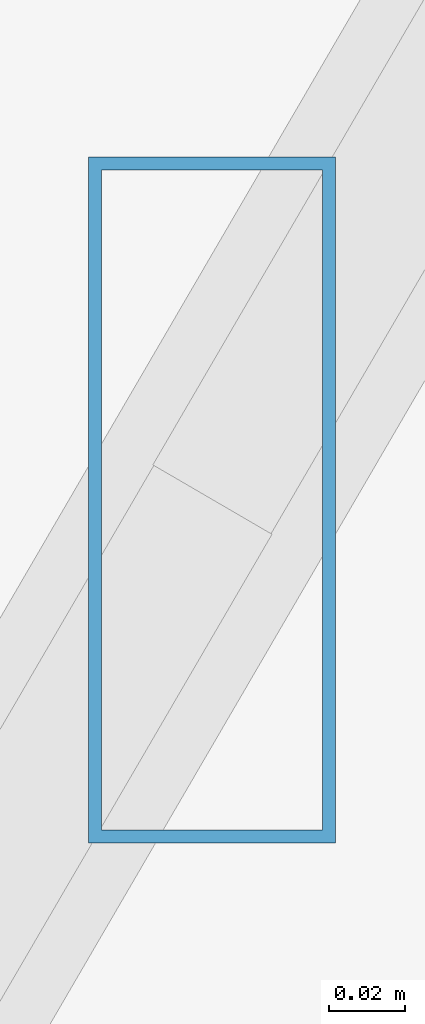
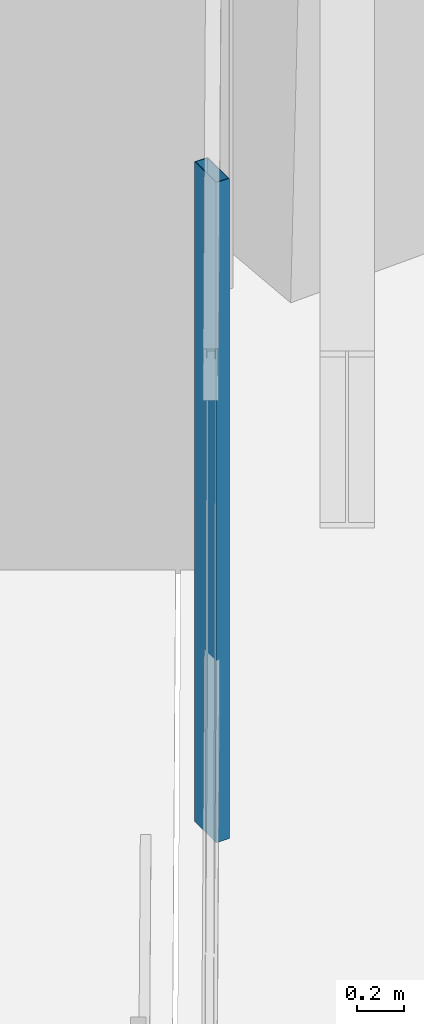
# One storey, part 21 of 35: 1 member, 1 element without a shape of its own.
"""IFC4 building model written with IfcOpenShell, lengths in metres."""

import ifcopenshell
import ifcopenshell.guid

model = None  # the IFC model being written
_history = None  # IfcOwnerHistory: only IFC2X3 demands one
_inside = {}  # id of a spatial element -> (the spatial element, [elements in it])
_under = {}  # id of a project, library or spatial element -> (it, [spatial elements below it])
_declared = {}  # id of a project -> (the project, [libraries it declares])
_typed = {}  # id of a type object -> (the type object, [elements of that type])
_made_of = {}  # id of a material, layer set ... -> (it, [elements and type objects made of it])


def new_model(schema):
    """Start an empty IFC model of exactly this schema.

    Asked for "IFC4X3", IfcOpenShell would pick the latest addendum, in which some entities
    have other attributes; the version numbers below select the first issue.
    IFC2X3 requires an IfcOwnerHistory on every rooted entity: one is made here for all.
    """
    global model, _history
    if schema == "IFC4X3":
        model = ifcopenshell.file(schema_version=(4, 3, 0, 0))
    else:
        model = ifcopenshell.file(schema=schema)
    _inside.clear()
    _under.clear()
    _declared.clear()
    _typed.clear()
    _made_of.clear()
    _history = None
    if model.schema == "IFC2X3":
        org = make("IfcOrganization", Name="unknown")
        user = make(
            "IfcPersonAndOrganization",
            ThePerson=make("IfcPerson", FamilyName="unknown"),
            TheOrganization=org,
        )
        app = make(
            "IfcApplication",
            ApplicationDeveloper=org,
            Version="unknown",
            ApplicationFullName="unknown",
            ApplicationIdentifier="unknown",
        )
        _history = make(
            "IfcOwnerHistory",
            OwningUser=user,
            OwningApplication=app,
            ChangeAction="ADDED",
            CreationDate=0,
        )
    return model


def make(cls, **values):
    """One entity of the class cls with the attributes given. An attribute that is None is left unset."""
    return model.create_entity(
        cls, **{name: value for name, value in values.items() if value is not None}
    )


def rooted(cls, **values):
    """An entity with a GlobalId (a new one), such as an element, a storey or a relation."""
    return make(cls, GlobalId=ifcopenshell.guid.new(), OwnerHistory=_history, **values)


def si_unit(unit_type, name, prefix=None):
    """IfcSIUnit, for example si_unit("LENGTHUNIT", "METRE", prefix="MILLI")."""
    return make("IfcSIUnit", UnitType=unit_type, Prefix=prefix, Name=name)


def assignment(units):
    """IfcUnitAssignment: the units of a project."""
    return None if units is None else make("IfcUnitAssignment", Units=units)


def point(xyz):
    """IfcCartesianPoint."""
    return None if xyz is None else make("IfcCartesianPoint", Coordinates=xyz)


def direction(xyz):
    """IfcDirection."""
    return None if xyz is None else make("IfcDirection", DirectionRatios=xyz)


def frame(location, z_axis=None, x_axis=None):
    """IfcAxis2Placement3D, a coordinate frame: its origin and axes. An axis left out is left unset."""
    return make(
        "IfcAxis2Placement3D",
        Location=point(location),
        Axis=direction(z_axis),
        RefDirection=direction(x_axis),
    )


def frame_2d(location, x_axis=None):
    """IfcAxis2Placement2D, a coordinate frame in the plane: its origin and x axis."""
    return make(
        "IfcAxis2Placement2D", Location=point(location), RefDirection=direction(x_axis)
    )


def origin():
    """The frame at (0, 0, 0) with its axes left unset."""
    return frame((0.0, 0.0, 0.0))


def origin_2d():
    """The frame at (0, 0) in the plane with its x axis left unset."""
    return frame_2d((0.0, 0.0))


def place(relative_to, where):
    """IfcLocalPlacement: puts the frame where relative to a parent placement (None: the world)."""
    return make(
        "IfcLocalPlacement", PlacementRelTo=relative_to, RelativePlacement=where
    )


def context(
    kind, dimensions, precision=None, world=None, true_north=None, identifier=None
):
    """IfcGeometricRepresentationContext, for example the 3D "Model" context."""
    return make(
        "IfcGeometricRepresentationContext",
        ContextIdentifier=identifier,
        ContextType=kind,
        CoordinateSpaceDimension=dimensions,
        Precision=precision,
        WorldCoordinateSystem=world,
        TrueNorth=true_north,
    )


def subcontext(parent, identifier, kind, view, scale=None):
    """IfcGeometricRepresentationSubContext, for example "Body" below "Model"."""
    return make(
        "IfcGeometricRepresentationSubContext",
        ContextIdentifier=identifier,
        ContextType=kind,
        ParentContext=parent,
        TargetScale=scale,
        TargetView=view,
    )


def project(units=None, contexts=None):
    """IfcProject with its units and contexts."""
    return rooted(
        "IfcProject",
        Name="project",
        RepresentationContexts=contexts,
        UnitsInContext=assignment(units),
    )


def spatial(cls, under=None, at=None, **own):
    """A site, building, storey or space (cls), placed at a placement, below another one or the project."""
    s = rooted(cls, ObjectPlacement=at, **own)
    if under is not None:
        _under.setdefault(under.id(), (under, []))[1].append(s)
    return s


def profile(cls, at=None, kind="AREA", **sizes):
    """A parametric profile (cls). Its sizes go by their IFC names, for example OverallWidth=200.0."""
    return make(cls, ProfileType=kind, Position=at, **sizes)


def hollow_rectangle(**sizes):
    """IfcRectangleHollowProfileDef."""
    return profile("IfcRectangleHollowProfileDef", **sizes)


def extrude(swept, where, along, depth):
    """IfcExtrudedAreaSolid: the profile swept, set in the frame where, extruded along a direction by depth."""
    return make(
        "IfcExtrudedAreaSolid",
        SweptArea=swept,
        Position=where,
        ExtrudedDirection=direction(along),
        Depth=depth,
    )


def shape(context_of_items, identifier, shape_type, items):
    """IfcShapeRepresentation: the items that make up one representation, for example the "Body"."""
    return make(
        "IfcShapeRepresentation",
        ContextOfItems=context_of_items,
        RepresentationIdentifier=identifier,
        RepresentationType=shape_type,
        Items=items,
    )


def source(mapping_origin, context_of_items, identifier, shape_type, items):
    """IfcRepresentationMap: a shape defined once, which mapped items show again and again."""
    return make(
        "IfcRepresentationMap",
        MappingOrigin=mapping_origin,
        MappedRepresentation=shape(context_of_items, identifier, shape_type, items),
    )


def transform(
    local_origin,
    x_axis=None,
    y_axis=None,
    z_axis=None,
    scale=None,
    scale2=None,
    scale3=None,
    uniform=True,
):
    """IfcCartesianTransformationOperator3D, or its non-uniform kind. x_axis, y_axis, z_axis: its Axis1, 2, 3."""
    if uniform:
        return make(
            "IfcCartesianTransformationOperator3D",
            Axis1=direction(x_axis),
            Axis2=direction(y_axis),
            LocalOrigin=point(local_origin),
            Scale=scale,
            Axis3=direction(z_axis),
        )
    return make(
        "IfcCartesianTransformationOperator3DnonUniform",
        Axis1=direction(x_axis),
        Axis2=direction(y_axis),
        LocalOrigin=point(local_origin),
        Scale=scale,
        Axis3=direction(z_axis),
        Scale2=scale2,
        Scale3=scale3,
    )


def mapped(mapping_source, mapping_target):
    """IfcMappedItem: shows the shape of a source again, moved by a transform."""
    return make(
        "IfcMappedItem", MappingSource=mapping_source, MappingTarget=mapping_target
    )


def material(Name=None, Category=None):
    """IfcMaterial."""
    return make("IfcMaterial", Name=Name, Category=Category)


def material_profile(
    of_material, cross_section, Name=None, Category=None, Priority=None
):
    """IfcMaterialProfile: a cross section and its material."""
    return make(
        "IfcMaterialProfile",
        Name=Name,
        Material=of_material,
        Profile=cross_section,
        Priority=Priority,
        Category=Category,
    )


def profile_set(profiles, Name=None, composite=None):
    """IfcMaterialProfileSet."""
    return make(
        "IfcMaterialProfileSet",
        Name=Name,
        MaterialProfiles=profiles,
        CompositeProfile=composite,
    )


def made_of(thing, what):
    """Note that an element or type object is made of a material, layer set ...; save() writes the relation."""
    if what is not None:
        _made_of.setdefault(what.id(), (what, []))[1].append(thing)
    return thing


def type_object(cls, material=None, **own):
    """A type object (cls), such as IfcWallType, which elements share."""
    return made_of(rooted(cls, **own), material)


def type_shapes(of_type, sources):
    """Give a type object the sources (RepresentationMaps) that its elements show as mapped items."""
    of_type.RepresentationMaps = sources


def element(
    cls,
    number,
    at=None,
    inside=None,
    cuts=None,
    type_object=None,
    material=None,
    context=None,
    identifier="Body",
    shape_type=None,
    held_by="IfcProductDefinitionShape",
    body=None,
    shapes=None,
    **own,
):
    """One element of the class cls, such as IfcWall. Its Tag is "e" and its number.

    at: its placement. inside: the storey or other place that contains it. cuts: it is an
    opening in that element (IfcRelVoidsElement). A single representation is given by context,
    identifier, shape_type and body (its items); several are given by shapes. held_by: the class
    of the entity that holds the representations. save() writes the other relations.
    """
    e = rooted(cls, Tag="e%d" % number, ObjectPlacement=at, **own)
    if body is not None:
        shapes = [shape(context, identifier, shape_type, body)]
    if shapes is not None:
        e.Representation = make(held_by, Representations=shapes)
    if inside is not None:
        _inside.setdefault(inside.id(), (inside, []))[1].append(e)
    if cuts is not None:
        rooted(
            "IfcRelVoidsElement", RelatingBuildingElement=cuts, RelatedOpeningElement=e
        )
    if type_object is not None:
        _typed.setdefault(type_object.id(), (type_object, []))[1].append(e)
    return made_of(e, material)


def aggregate(whole, parts):
    """IfcRelAggregates: a whole, such as a stair, and the parts it consists of."""
    return rooted("IfcRelAggregates", RelatingObject=whole, RelatedObjects=parts)


def save(model, path):
    """Write the relations noted so far, then the file.

    IfcRelAggregates (storeys below a building ...), IfcRelContainedInSpatialStructure (elements
    in a storey), IfcRelDefinesByType, IfcRelAssociatesMaterial and IfcRelDeclares: one each for
    every whole, place, type object, material and project.
    """
    for whole, parts in _under.values():
        aggregate(whole, parts)
    for where, things in _inside.values():
        rooted(
            "IfcRelContainedInSpatialStructure",
            RelatedElements=things,
            RelatingStructure=where,
        )
    for kind, things in _typed.values():
        rooted("IfcRelDefinesByType", RelatedObjects=things, RelatingType=kind)
    for what, things in _made_of.values():
        rooted("IfcRelAssociatesMaterial", RelatedObjects=things, RelatingMaterial=what)
    for by, libraries in _declared.values():
        rooted("IfcRelDeclares", RelatingContext=by, RelatedDefinitions=libraries)
    model.write(path)


model = new_model("IFC4")

# Units and contexts
model_context = context("Model", 3, precision=1e-05, world=origin(), true_north=direction((0.0, 1.0)))
body_context = subcontext(model_context, "Body", "Model", "MODEL_VIEW")
ifc_project = project(units=[si_unit("LENGTHUNIT", "METRE"), si_unit("AREAUNIT", "SQUARE_METRE"), si_unit("VOLUMEUNIT", "CUBIC_METRE"), si_unit("PLANEANGLEUNIT", "RADIAN"), si_unit("MASSUNIT", "GRAM", prefix="KILO")], contexts=[model_context])

# Site, building, storey
site_placement = place(None, origin())
site = spatial("IfcSite", under=ifc_project, at=site_placement, CompositionType="ELEMENT")
building_placement = place(site_placement, origin())
building = spatial("IfcBuilding", under=site, at=building_placement, Name="Caelisora Broadcast Tower", CompositionType="ELEMENT")
storey_placement = place(building_placement, frame((0.0, 0.0, 27.60009765625)))
storey = spatial("IfcBuildingStorey", under=building, at=storey_placement, Name="L06", CompositionType="ELEMENT", Elevation=27.60009765625)

# Curtain wall, member
ifc_material_1 = material(Name="Unitised Aluminium and Low-E Glass Curtain Wall", Category="glass")
curtain_wall_type = type_object("IfcCurtainWallType", Name="CW-Z1", PredefinedType="NOTDEFINED", material=ifc_material_1)
curtain_wall_placement = place(storey_placement, origin())
curtain_wall = element("IfcCurtainWall", 1, at=curtain_wall_placement, inside=storey, type_object=curtain_wall_type, Name="L06 curtain wall CW-Z1", PredefinedType="NOTDEFINED")
ifc_material_2 = material(Name="Aluminium 6063-T6 Anodised Terracotta Bronze", Category="aluminium")
ifc_material_profile = material_profile(ifc_material_2, hollow_rectangle(XDim=0.06494140625, YDim=0.179931640625, WallThickness=0.00341796875, at=origin_2d()), Name="Aluminium 6063-T6 Anodised Terracotta Bronze")
ifc_profile_set = profile_set([ifc_material_profile], Name="Aluminium 6063-T6 Anodised Terracotta Bronze")
member_type = type_object("IfcMemberType", Name="CWM-02", PredefinedType="MULLION", material=ifc_profile_set)
shared_shape = source(origin(), body_context, "Body", "SweptSolid", [
    extrude(hollow_rectangle(XDim=0.06494140625, YDim=0.179931640625, WallThickness=0.00341796875, at=origin_2d()), origin(), (0.0, 0.0, 1.0), 3.39990234375),
])
type_shapes(member_type, [shared_shape])
member_placement = place(storey_placement, frame((25.89501953125, 42.42919921875, 0.0), z_axis=(0.0, 0.0, 1.0), x_axis=(1.0, 0.0, 0.0)))
member = element("IfcMember", 2, at=member_placement, type_object=member_type, Name="L06-CW-B11 mullion #1", PredefinedType="MULLION", context=body_context, shape_type="MappedRepresentation", body=[
    mapped(shared_shape, transform((0.0, 0.0, 0.0), scale=1.0)),
])
aggregate(curtain_wall, [member])

save(model, "model.ifc")
